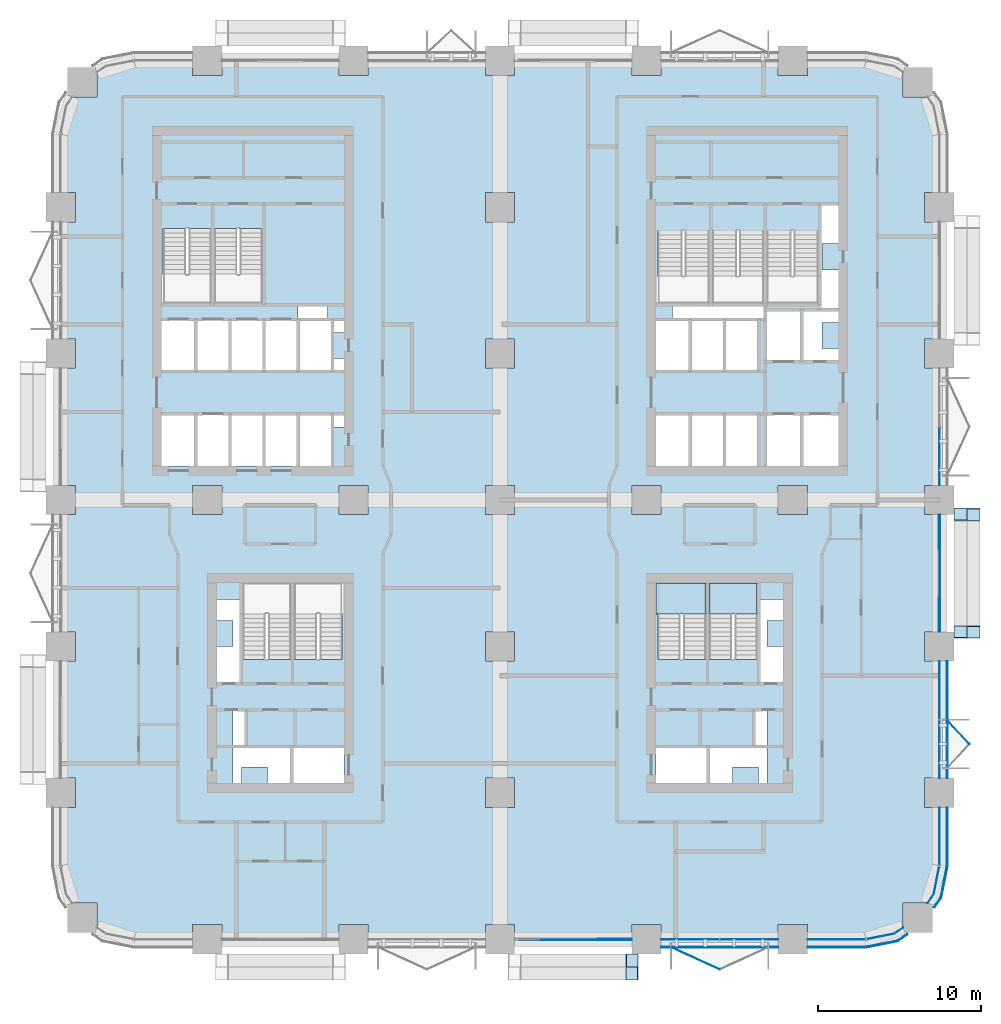
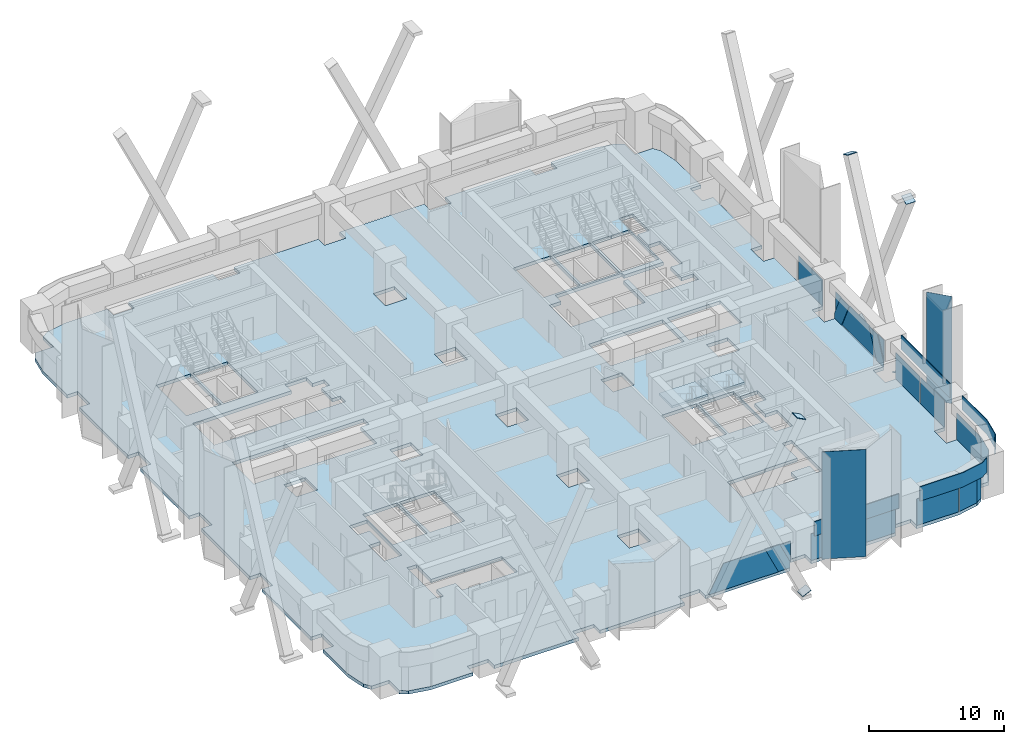
# One storey, part 12 of 26: 29 plates, 3 slabs, 9 elements without a shape of their own.
"""IFC4 building model written with IfcOpenShell, lengths in metres."""

from ifc_helpers import new_model, si_unit, direction, frame, origin, origin_2d, place, context, subcontext, project, spatial, polyline, rectangle, outline, extrude, material, layer, layer_set, type_object, element, aggregate, save


model = new_model("IFC4")

# Units and contexts
model_context = context("Model", 3, precision=1e-05, world=origin(), true_north=direction((0.0, 1.0)))
body_context = subcontext(model_context, "Body", "Model", "MODEL_VIEW")
ifc_project = project(units=[si_unit("LENGTHUNIT", "METRE"), si_unit("AREAUNIT", "SQUARE_METRE"), si_unit("VOLUMEUNIT", "CUBIC_METRE"), si_unit("PLANEANGLEUNIT", "RADIAN"), si_unit("MASSUNIT", "GRAM", prefix="KILO")], contexts=[model_context])

# Site, building, storey
site_placement = place(None, origin())
site = spatial("IfcSite", under=ifc_project, at=site_placement, CompositionType="ELEMENT")
building_placement = place(site_placement, origin())
building = spatial("IfcBuilding", under=site, at=building_placement, Name="Tessera Arch", CompositionType="ELEMENT")
storey_placement = place(building_placement, frame((0.0, 0.0, 31.0)))
storey = spatial("IfcBuildingStorey", under=building, at=storey_placement, Name="L05", CompositionType="ELEMENT", Elevation=31.0)

# Curtain wall, plates
ifc_material_1 = material(Name="CW1 curtain wall")
curtain_wall_type_1 = type_object("IfcCurtainWallType", Name="CW1 curtain wall", PredefinedType="NOTDEFINED", material=ifc_material_1)
curtain_wall_1_placement = place(storey_placement, origin())
curtain_wall_1 = element("IfcCurtainWall", 1, at=curtain_wall_1_placement, inside=storey, type_object=curtain_wall_type_1, Name="CW1 curtain wall S0.0/3 L05", PredefinedType="NOTDEFINED")
ifc_material_2 = material(Name="Clear low-e glass", Category="glass")
ifc_material_3 = material(Name="Clear low-e glass", Category="glass")
ifc_layer_1 = layer(ifc_material_3, 0.028076171875)
ifc_layer_set_1 = layer_set([ifc_layer_1], Name="CW1 glass panel")
plate_type_1 = type_object("IfcPlateType", Name="CW1 glass panel", PredefinedType="CURTAIN_PANEL", material=ifc_layer_set_1)
plate_1_placement = place(storey_placement, frame((38.68505859375, 0.0, 0.0), z_axis=(0.0, 0.0, 1.0), x_axis=(1.0, 0.0, 0.0)))
plate_1 = element("IfcPlate", 2, at=plate_1_placement, type_object=plate_type_1, material=ifc_material_2, Name="CW1 glass panel S0.0/3 1.1.1", PredefinedType="CURTAIN_PANEL", context=body_context, shape_type="SweptSolid", body=[
    extrude(rectangle(XDim=3.570068359375, YDim=0.028076171875, at=origin_2d()), origin(), (0.0, 0.0, 1.0), 2.39990234375),
])
plate_2_placement = place(storey_placement, frame((42.31494140625, 0.0, 0.0), z_axis=(0.0, 0.0, 1.0), x_axis=(1.0, 0.0, 0.0)))
plate_2 = element("IfcPlate", 3, at=plate_2_placement, type_object=plate_type_1, material=ifc_material_2, Name="CW1 glass panel S0.0/3 1.2.1", PredefinedType="CURTAIN_PANEL", context=body_context, shape_type="SweptSolid", body=[
    extrude(rectangle(XDim=3.570068359375, YDim=0.028076171875, at=origin_2d()), origin(), (0.0, 0.0, 1.0), 2.39990234375),
])

curtain_wall_2_placement = place(storey_placement, origin())
curtain_wall_2 = element("IfcCurtainWall", 4, at=curtain_wall_2_placement, inside=storey, type_object=curtain_wall_type_1, Name="CW1 curtain wall E54.0/1 L05", PredefinedType="NOTDEFINED")
plate_3_placement = place(storey_placement, frame((54.0, 11.68505859375, 0.0), z_axis=(0.0, 0.0, 1.0), x_axis=(0.0, 1.0, 0.0)))
plate_3 = element("IfcPlate", 5, at=plate_3_placement, type_object=plate_type_1, material=ifc_material_2, Name="CW1 glass panel E54.0/1 1.1.1", PredefinedType="CURTAIN_PANEL", context=body_context, shape_type="SweptSolid", body=[
    extrude(rectangle(XDim=3.570068359375, YDim=0.028076171875, at=origin_2d()), origin(), (0.0, 0.0, 1.0), 2.39990234375),
])
plate_4_placement = place(storey_placement, frame((54.0, 15.31494140625, 0.0), z_axis=(0.0, 0.0, 1.0), x_axis=(0.0, 1.0, 0.0)))
plate_4 = element("IfcPlate", 6, at=plate_4_placement, type_object=plate_type_1, material=ifc_material_2, Name="CW1 glass panel E54.0/1 1.2.1", PredefinedType="CURTAIN_PANEL", context=body_context, shape_type="SweptSolid", body=[
    extrude(rectangle(XDim=3.570068359375, YDim=0.028076171875, at=origin_2d()), origin(), (0.0, 0.0, 1.0), 2.39990234375),
])

# Curtain wall, plate
curtain_wall_3_placement = place(storey_placement, origin())
curtain_wall_3 = element("IfcCurtainWall", 7, at=curtain_wall_3_placement, inside=storey, type_object=curtain_wall_type_1, Name="CW1 curtain wall E54.0/3 L05", PredefinedType="NOTDEFINED")
plate_5_placement = place(storey_placement, frame((54.0, 29.68505859375, 0.0), z_axis=(0.0, 0.0, 1.0), x_axis=(0.0, 1.0, 0.0)))
plate_5 = element("IfcPlate", 8, at=plate_5_placement, type_object=plate_type_1, material=ifc_material_2, Name="CW1 glass panel E54.0/3 1.1.1", PredefinedType="CURTAIN_PANEL", context=body_context, shape_type="SweptSolid", body=[
    extrude(rectangle(XDim=3.570068359375, YDim=0.028076171875, at=origin_2d()), origin(), (0.0, 0.0, 1.0), 2.39990234375),
])
aggregate(curtain_wall_3, [plate_5])

# Plate
ifc_material_4 = material(Name="Pale anodised aluminium panel", Category="aluminium")
ifc_layer_2 = layer(ifc_material_4, 0.06005859375)
ifc_layer_set_2 = layer_set([ifc_layer_2], Name="CW1 spandrel panel")
plate_type_2 = type_object("IfcPlateType", Name="CW1 spandrel panel", PredefinedType="CURTAIN_PANEL", material=ifc_layer_set_2)
plate_6_placement = place(storey_placement, frame((40.5, -0.47998046875, 2.5), z_axis=(0.0, 0.0, 1.0), x_axis=(1.0, 0.0, 0.0)))
plate_6 = element("IfcPlate", 9, at=plate_6_placement, type_object=plate_type_2, Name="CW1 spandrel panel S0.0/3", PredefinedType="CURTAIN_PANEL", context=body_context, shape_type="SweptSolid", body=[
    extrude(rectangle(XDim=7.199951171875, YDim=0.06005859375, at=origin_2d()), origin(), (0.0, 0.0, 1.0), 1.300048828125),
])

aggregate(curtain_wall_1, [plate_1, plate_2, plate_6])

plate_7_placement = place(storey_placement, frame((54.47998046875, 13.5, 2.5), z_axis=(0.0, 0.0, 1.0), x_axis=(0.0, 1.0, 0.0)))
plate_7 = element("IfcPlate", 10, at=plate_7_placement, type_object=plate_type_2, Name="CW1 spandrel panel E54.0/1", PredefinedType="CURTAIN_PANEL", context=body_context, shape_type="SweptSolid", body=[
    extrude(rectangle(XDim=7.199951171875, YDim=0.06005859375, at=origin_2d()), origin(), (0.0, 0.0, 1.0), 1.300048828125),
])

aggregate(curtain_wall_2, [plate_3, plate_4, plate_7])

# Curtain wall, plates
ifc_material_5 = material(Name="CW2 curtain wall")
curtain_wall_type_2 = type_object("IfcCurtainWallType", Name="CW2 curtain wall", PredefinedType="NOTDEFINED", material=ifc_material_5)
curtain_wall_4_placement = place(storey_placement, origin())
curtain_wall_4 = element("IfcCurtainWall", 11, at=curtain_wall_4_placement, inside=storey, type_object=curtain_wall_type_2, Name="CW2 curtain wall S0.0/4 L05", PredefinedType="NOTDEFINED")
ifc_material_6 = material(Name="Clear low-e glass", Category="glass")
ifc_layer_3 = layer(ifc_material_6, 0.028076171875)
ifc_layer_set_3 = layer_set([ifc_layer_3], Name="CW2 glass panel")
plate_type_3 = type_object("IfcPlateType", Name="CW2 glass panel", PredefinedType="CURTAIN_PANEL", material=ifc_layer_set_3)
plate_8_placement = place(storey_placement, frame((47.679931640625, 0.0, 0.0), z_axis=(0.0, 0.0, 1.0), x_axis=(1.0, 0.0, 0.0)))
plate_8 = element("IfcPlate", 12, at=plate_8_placement, type_object=plate_type_3, material=ifc_material_2, Name="CW2 glass panel S0.0/4 1.1", PredefinedType="CURTAIN_PANEL", context=body_context, shape_type="SweptSolid", body=[
    extrude(rectangle(XDim=3.56005859375, YDim=0.028076171875, at=origin_2d()), origin(), (0.0, 0.0, 1.0), 2.39990234375),
])
plate_9_placement = place(storey_placement, origin())
plate_9 = element("IfcPlate", 13, at=plate_9_placement, type_object=plate_type_3, material=ifc_material_2, Name="CW2 curved glass panel S0.0/4 2.1", PredefinedType="CURTAIN_PANEL", context=body_context, shape_type="SweptSolid", body=[
    extrude(outline(polyline([(51.216552734375, 0.355712890625), (49.53662109375, 0.021484375), (49.5419921875, -0.005859375), (51.2275390625, 0.329345703125), (51.789794921875, 0.705078125), (51.774169921875, 0.728271484375), (51.216552734375, 0.355712890625)])), origin(), (0.0, 0.0, 1.0), 2.39990234375),
])

curtain_wall_5_placement = place(storey_placement, origin())
curtain_wall_5 = element("IfcCurtainWall", 14, at=curtain_wall_5_placement, inside=storey, type_object=curtain_wall_type_2, Name="CW2 curtain wall E54.0/0 L05", PredefinedType="NOTDEFINED")
plate_10_placement = place(storey_placement, frame((54.0, 6.320068359375, 0.0), z_axis=(0.0, 0.0, 1.0), x_axis=(0.0, 1.0, 0.0)))
plate_10 = element("IfcPlate", 15, at=plate_10_placement, type_object=plate_type_3, material=ifc_material_2, Name="CW2 glass panel E54.0/0 1.1", PredefinedType="CURTAIN_PANEL", context=body_context, shape_type="SweptSolid", body=[
    extrude(rectangle(XDim=3.56005859375, YDim=0.028076171875, at=origin_2d()), origin(), (0.0, 0.0, 1.0), 2.39990234375),
])
plate_11_placement = place(storey_placement, origin())
plate_11 = element("IfcPlate", 16, at=plate_11_placement, type_object=plate_type_3, material=ifc_material_2, Name="CW2 curved glass panel E54.0/0 2.1", PredefinedType="CURTAIN_PANEL", context=body_context, shape_type="SweptSolid", body=[
    extrude(outline(polyline([(53.644287109375, 2.783447265625), (53.271728515625, 2.225830078125), (53.294921875, 2.210205078125), (53.670654296875, 2.7724609375), (54.005859375, 4.4580078125), (53.978515625, 4.46337890625), (53.644287109375, 2.783447265625)])), origin(), (0.0, 0.0, 1.0), 2.39990234375),
])

# Plate
ifc_material_7 = material(Name="Pale anodised aluminium panel", Category="aluminium")
ifc_layer_4 = layer(ifc_material_7, 0.06005859375)
ifc_layer_set_4 = layer_set([ifc_layer_4], Name="CW2 spandrel panel")
plate_type_4 = type_object("IfcPlateType", Name="CW2 spandrel panel", PredefinedType="CURTAIN_PANEL", material=ifc_layer_set_4)
plate_12_placement = place(storey_placement, frame((0.0, 0.0, 2.5)))
plate_12 = element("IfcPlate", 17, at=plate_12_placement, type_object=plate_type_4, Name="CW2 spandrel panel S0.0/4", PredefinedType="CURTAIN_PANEL", context=body_context, shape_type="SweptSolid", body=[
    extrude(outline(polyline([(49.499267578125, -0.449951171875), (45.89990234375, -0.449951171875), (45.89990234375, -0.510009765625), (49.500732421875, -0.510009765625), (49.550048828125, -0.507568359375), (49.598876953125, -0.500244140625), (51.322265625, -0.157470703125), (51.3701171875, -0.1455078125), (51.417236328125, -0.128662109375), (51.462646484375, -0.107177734375), (51.5048828125, -0.08203125), (52.0654296875, 0.292724609375), (52.031982421875, 0.342529296875), (51.47265625, -0.03125), (51.434326171875, -0.05419921875), (51.394287109375, -0.0732421875), (51.352783203125, -0.088134765625), (51.30908203125, -0.09912109375), (49.588623046875, -0.441162109375), (49.544189453125, -0.44775390625), (49.499267578125, -0.449951171875)])), origin(), (0.0, 0.0, 1.0), 1.300048828125),
])

aggregate(curtain_wall_4, [plate_8, plate_9, plate_12])

plate_13_placement = place(storey_placement, frame((0.0, 0.0, 2.5)))
plate_13 = element("IfcPlate", 18, at=plate_13_placement, type_object=plate_type_4, Name="CW2 spandrel panel E54.0/0", PredefinedType="CURTAIN_PANEL", context=body_context, shape_type="SweptSolid", body=[
    extrude(outline(polyline([(54.03125, 2.52734375), (53.657470703125, 1.968017578125), (53.707275390625, 1.9345703125), (54.08203125, 2.4951171875), (54.107177734375, 2.537353515625), (54.128662109375, 2.582763671875), (54.1455078125, 2.6298828125), (54.157470703125, 2.677734375), (54.500244140625, 4.401123046875), (54.507568359375, 4.449951171875), (54.510009765625, 4.499267578125), (54.510009765625, 8.10009765625), (54.449951171875, 8.10009765625), (54.449951171875, 4.500732421875), (54.44775390625, 4.455810546875), (54.441162109375, 4.411376953125), (54.09912109375, 2.69091796875), (54.088134765625, 2.647216796875), (54.0732421875, 2.605712890625), (54.05419921875, 2.565673828125), (54.03125, 2.52734375)])), origin(), (0.0, 0.0, 1.0), 1.300048828125),
])

aggregate(curtain_wall_5, [plate_10, plate_11, plate_13])

# Curtain wall, plate
ifc_material_8 = material(Name="CW3 curtain wall")
curtain_wall_type_3 = type_object("IfcCurtainWallType", Name="CW3 curtain wall", PredefinedType="NOTDEFINED", material=ifc_material_8)
curtain_wall_6_placement = place(storey_placement, origin())
curtain_wall_6 = element("IfcCurtainWall", 19, at=curtain_wall_6_placement, inside=storey, type_object=curtain_wall_type_3, Name="CW3 curtain wall S0.0/2 L05", PredefinedType="NOTDEFINED")
ifc_material_9 = material(Name="Pale anodised aluminium panel", Category="aluminium")
ifc_layer_5 = layer(ifc_material_9, 0.06005859375)
ifc_layer_set_5 = layer_set([ifc_layer_5], Name="CW3 diagonal panel")
plate_type_5 = type_object("IfcPlateType", Name="CW3 diagonal panel", PredefinedType="CURTAIN_PANEL", material=ifc_layer_set_5)
plate_14_placement = place(storey_placement, frame((35.10009765625, -0.030029296875, 0.0), z_axis=(0.0, -1.0, 0.0), x_axis=(0.0, 0.0, 1.0)))
plate_14 = element("IfcPlate", 20, at=plate_14_placement, type_object=plate_type_5, Name="CW3 diagonal panel S0.0/2 1", PredefinedType="CURTAIN_PANEL", context=body_context, shape_type="SweptSolid", body=[
    extrude(outline(polyline([(0.0, 0.0), (0.52685546875, 0.0), (2.39990234375, 0.887451171875), (2.39990234375, 2.144287109375), (0.0, 1.007568359375), (0.0, 0.0)])), origin(), (0.0, 0.0, -1.0), 0.06005859375),
])

# Curtain wall, plates
curtain_wall_7_placement = place(storey_placement, origin())
curtain_wall_7 = element("IfcCurtainWall", 21, at=curtain_wall_7_placement, inside=storey, type_object=curtain_wall_type_3, Name="CW3 curtain wall E54.0/2 L05", PredefinedType="NOTDEFINED")
plate_15_placement = place(storey_placement, frame((54.030029296875, 26.10009765625, 0.0), z_axis=(1.0, 0.0, 0.0), x_axis=(0.0, 0.0, 1.0)))
plate_15 = element("IfcPlate", 22, at=plate_15_placement, type_object=plate_type_5, Name="CW3 diagonal panel E54.0/2 1", PredefinedType="CURTAIN_PANEL", context=body_context, shape_type="SweptSolid", body=[
    extrude(outline(polyline([(0.0, 0.0), (0.52685546875, 0.0), (2.39990234375, 0.887451171875), (2.39990234375, 2.144287109375), (0.0, 1.007568359375), (0.0, 0.0)])), origin(), (0.0, 0.0, -1.0), 0.06005859375),
])
plate_16_placement = place(storey_placement, frame((54.030029296875, 21.044189453125, 2.39990234375), z_axis=(1.0, 0.0, 0.0), x_axis=(0.0, -1.0, 0.0)))
plate_16 = element("IfcPlate", 23, at=plate_16_placement, type_object=plate_type_5, Name="CW3 diagonal panel E54.0/2 2", PredefinedType="CURTAIN_PANEL", context=body_context, shape_type="SweptSolid", body=[
    extrude(outline(polyline([(0.0, 0.0), (1.2568359375, 0.0), (2.144287109375, 1.873046875), (2.144287109375, 2.39990234375), (1.13671875, 2.39990234375), (0.0, 0.0)])), origin(), (0.0, 0.0, -1.0), 0.06005859375),
])

# Plate
ifc_material_10 = material(Name="Clear low-e glass", Category="glass")
ifc_layer_6 = layer(ifc_material_10, 0.028076171875)
ifc_layer_set_6 = layer_set([ifc_layer_6], Name="CW3 glass panel")
plate_type_6 = type_object("IfcPlateType", Name="CW3 glass panel", PredefinedType="CURTAIN_PANEL", material=ifc_layer_set_6)
plate_17_placement = place(storey_placement, frame((32.955810546875, -0.05810546875, 2.39990234375), z_axis=(0.0, -1.0, 0.0), x_axis=(-1.0, 0.0, 0.0)))
plate_17 = element("IfcPlate", 24, at=plate_17_placement, type_object=plate_type_6, material=ifc_material_2, Name="CW3 triangulated glass panel S0.0/2 2", PredefinedType="CURTAIN_PANEL", context=body_context, shape_type="SweptSolid", body=[
    extrude(outline(polyline([(0.0, 0.0), (3.552490234375, 0.0), (4.820068359375, 2.39990234375), (-1.13671875, 2.39990234375), (0.0, 0.0)])), origin(), (0.0, 0.0, -1.0), 0.028076171875),
])

plate_18_placement = place(storey_placement, frame((35.10009765625, -0.05810546875, 2.39990234375), z_axis=(0.0, -1.0, 0.0), x_axis=(-1.0, 0.0, 0.0)))
plate_18 = element("IfcPlate", 25, at=plate_18_placement, type_object=plate_type_6, material=ifc_material_2, Name="CW3 triangulated glass panel S0.0/2 3", PredefinedType="CURTAIN_PANEL", context=body_context, shape_type="SweptSolid", body=[
    extrude(outline(polyline([(0.0, 0.0), (0.887451171875, 0.0), (0.0, 1.873046875), (0.0, 0.0)])), origin(), (0.0, 0.0, -1.0), 0.028076171875),
])

aggregate(curtain_wall_6, [plate_17, plate_18, plate_14])

plate_19_placement = place(storey_placement, frame((54.05810546875, 18.89990234375, 2.39990234375), z_axis=(1.0, 0.0, 0.0), x_axis=(0.0, 0.0, -1.0)))
plate_19 = element("IfcPlate", 26, at=plate_19_placement, type_object=plate_type_6, material=ifc_material_2, Name="CW3 triangulated glass panel E54.0/2 1", PredefinedType="CURTAIN_PANEL", context=body_context, shape_type="SweptSolid", body=[
    extrude(outline(polyline([(0.0, 0.0), (1.873046875, 0.0), (0.0, 0.887451171875), (0.0, 0.0)])), origin(), (0.0, 0.0, -1.0), 0.028076171875),
])

plate_20_placement = place(storey_placement, frame((54.05810546875, 23.955810546875, 2.39990234375), z_axis=(1.0, 0.0, 0.0), x_axis=(0.0, -1.0, 0.0)))
plate_20 = element("IfcPlate", 27, at=plate_20_placement, type_object=plate_type_6, material=ifc_material_2, Name="CW3 triangulated glass panel E54.0/2 2", PredefinedType="CURTAIN_PANEL", context=body_context, shape_type="SweptSolid", body=[
    extrude(outline(polyline([(0.0, 0.0), (2.91162109375, 0.0), (4.04833984375, 2.39990234375), (-1.13671875, 2.39990234375), (0.0, 0.0)])), origin(), (0.0, 0.0, -1.0), 0.028076171875),
])

plate_21_placement = place(storey_placement, frame((54.05810546875, 26.10009765625, 2.39990234375), z_axis=(1.0, 0.0, 0.0), x_axis=(0.0, -1.0, 0.0)))
plate_21 = element("IfcPlate", 28, at=plate_21_placement, type_object=plate_type_6, material=ifc_material_2, Name="CW3 triangulated glass panel E54.0/2 3", PredefinedType="CURTAIN_PANEL", context=body_context, shape_type="SweptSolid", body=[
    extrude(outline(polyline([(0.0, 0.0), (0.887451171875, 0.0), (0.0, 1.873046875), (0.0, 0.0)])), origin(), (0.0, 0.0, -1.0), 0.028076171875),
])

aggregate(curtain_wall_7, [plate_19, plate_20, plate_21, plate_15, plate_16])

# Plates
ifc_material_11 = material(Name="Steel A572 Gr50", Category="steel")
ifc_layer_7 = layer(ifc_material_11, 0.050048828125)
ifc_layer_set_7 = layer_set([ifc_layer_7], Name="End plate BOX 800x800x60")
plate_type_7 = type_object("IfcPlateType", Name="End plate BOX 800x800x60", PredefinedType="SHEET", material=ifc_layer_set_7)
for number, where, z_axis, x_axis, name in (
    (29, (35.10009765625, -1.300048828125, 14.39990234375), (0.464738022101, 0.0, 0.885448231583), (0.0, 1.0, 0.0), "End plate BOX 800x800x60 S0.0-2 A2 L05"),
    (30, (35.121337890625, -2.10009765625, -0.84521484375), (-0.425561453383, 0.0, 0.904929527308), (0.0, -1.0, 0.0), "End plate BOX 800x800x60 S0.0-2 B1 L05"),
    (31, (55.300048828125, 18.878662109375, -0.84521484375), (0.0, 0.425561453383, 0.904929527308), (-1.0, 0.0, 0.0), "End plate BOX 800x800x60 E54.0-2 A1 L05"),
    (32, (55.300048828125, 26.10009765625, 14.39990234375), (0.0, 0.425561453383, 0.904929527308), (-1.0, 0.0, 0.0), "End plate BOX 800x800x60 E54.0-2 A2 L05"),
    (33, (56.10009765625, 26.121337890625, -0.84521484375), (0.0, -0.425561453383, 0.904929527308), (1.0, 0.0, 0.0), "End plate BOX 800x800x60 E54.0-2 B1 L05"),
    (34, (56.10009765625, 18.89990234375, 14.39990234375), (0.0, -0.425561453383, 0.904929527308), (1.0, 0.0, 0.0), "End plate BOX 800x800x60 E54.0-2 B2 L05"),
):
    element("IfcPlate", number, at=place(storey_placement, frame(where, z_axis=z_axis, x_axis=x_axis)), inside=storey, type_object=plate_type_7, Name=name, PredefinedType="SHEET", context=body_context, shape_type="SweptSolid", body=[
        extrude(rectangle(XDim=0.800048828125, YDim=0.800048828125, at=origin_2d()), origin(), (0.0, 0.0, 1.0), 0.0498046875),
    ])

# Slab
ifc_material_12 = material(Name="Concrete C40/50", Category="concrete")
ifc_layer_8 = layer(ifc_material_12, 0.300048828125)
ifc_layer_set_8 = layer_set([ifc_layer_8], Name="Floor slab 300 Concrete C40/50")
slab_type_1 = type_object("IfcSlabType", Name="Floor slab 300 Concrete C40/50", PredefinedType="FLOOR", material=ifc_layer_set_8)
slab_1_placement = place(storey_placement, frame((0.0, 0.0, -0.300048828125)))
element("IfcSlab", 35, at=slab_1_placement, inside=storey, type_object=slab_type_1, Name="Floor slab L05 1", PredefinedType="FLOOR", context=body_context, shape_type="SweptSolid", body=[
    extrude(outline(polyline([(4.5, 0.0), (2.77783203125, 0.342529296875), (2.218017578125, 0.716552734375), (2.218017578125, 2.218017578125), (0.716552734375, 2.218017578125), (0.342529296875, 2.77783203125), (0.0, 4.5), (0.0, 8.10009765625), (0.89990234375, 8.10009765625), (0.89990234375, 9.89990234375), (0.0, 9.89990234375), (0.0, 17.10009765625), (0.89990234375, 17.10009765625), (0.89990234375, 18.89990234375), (0.0, 18.89990234375), (0.0, 26.10009765625), (0.89990234375, 26.10009765625), (0.89990234375, 27.89990234375), (0.0, 27.89990234375), (0.0, 35.10009765625), (0.89990234375, 35.10009765625), (0.89990234375, 36.89990234375), (0.0, 36.89990234375), (0.0, 44.10009765625), (0.89990234375, 44.10009765625), (0.89990234375, 45.89990234375), (0.0, 45.89990234375), (0.0, 49.5), (0.342529296875, 51.22216796875), (0.716552734375, 51.781982421875), (2.218017578125, 51.781982421875), (2.218017578125, 53.283447265625), (2.77783203125, 53.657470703125), (4.5, 54.0), (8.10009765625, 54.0), (8.10009765625, 53.10009765625), (9.89990234375, 53.10009765625), (9.89990234375, 54.0), (17.10009765625, 54.0), (17.10009765625, 53.10009765625), (18.89990234375, 53.10009765625), (18.89990234375, 54.0), (26.10009765625, 54.0), (26.10009765625, 53.10009765625), (27.89990234375, 53.10009765625), (27.89990234375, 54.0), (35.10009765625, 54.0), (35.10009765625, 53.10009765625), (36.89990234375, 53.10009765625), (36.89990234375, 54.0), (44.10009765625, 54.0), (44.10009765625, 53.10009765625), (45.89990234375, 53.10009765625), (45.89990234375, 54.0), (49.5, 54.0), (51.22216796875, 53.657470703125), (51.781982421875, 53.283447265625), (51.781982421875, 51.781982421875), (53.283447265625, 51.781982421875), (53.657470703125, 51.22216796875), (54.0, 49.5), (54.0, 45.89990234375), (53.10009765625, 45.89990234375), (53.10009765625, 44.10009765625), (54.0, 44.10009765625), (54.0, 36.89990234375), (53.10009765625, 36.89990234375), (53.10009765625, 35.10009765625), (54.0, 35.10009765625), (54.0, 27.89990234375), (53.10009765625, 27.89990234375), (53.10009765625, 26.10009765625), (54.0, 26.10009765625), (54.0, 18.89990234375), (53.10009765625, 18.89990234375), (53.10009765625, 17.10009765625), (54.0, 17.10009765625), (54.0, 9.89990234375), (53.10009765625, 9.89990234375), (53.10009765625, 8.10009765625), (54.0, 8.10009765625), (54.0, 4.5), (53.657470703125, 2.77783203125), (53.283447265625, 2.218017578125), (51.781982421875, 2.218017578125), (51.781982421875, 0.716552734375), (51.22216796875, 0.342529296875), (49.5, 0.0), (45.89990234375, 0.0), (45.89990234375, 0.89990234375), (44.10009765625, 0.89990234375), (44.10009765625, 0.0), (36.89990234375, 0.0), (36.89990234375, 0.89990234375), (35.10009765625, 0.89990234375), (35.10009765625, 0.0), (27.89990234375, 0.0), (27.89990234375, 0.89990234375), (26.10009765625, 0.89990234375), (26.10009765625, 0.0), (18.89990234375, 0.0), (18.89990234375, 0.89990234375), (17.10009765625, 0.89990234375), (17.10009765625, 0.0), (9.89990234375, 0.0), (9.89990234375, 0.89990234375), (8.10009765625, 0.89990234375), (8.10009765625, 0.0), (4.5, 0.0)]), holes=[polyline([(11.10009765625, 9.60009765625), (11.10009765625, 10.60009765625), (12.699951171875, 10.60009765625), (12.699951171875, 9.60009765625), (14.199951171875, 9.60009765625), (17.39990234375, 9.60009765625), (17.39990234375, 11.85009765625), (14.199951171875, 11.85009765625), (14.199951171875, 11.89990234375), (11.39990234375, 11.89990234375), (11.39990234375, 14.10009765625), (10.60009765625, 14.10009765625), (10.60009765625, 11.89990234375), (10.60009765625, 9.60009765625), (11.10009765625, 9.60009765625)]), polyline([(9.60009765625, 19.60009765625), (10.60009765625, 19.60009765625), (10.60009765625, 18.0), (9.60009765625, 18.0), (9.60009765625, 15.699951171875), (11.10009765625, 15.699951171875), (11.10009765625, 20.89990234375), (9.60009765625, 20.89990234375), (9.60009765625, 19.60009765625)]), polyline([(12.60009765625, 17.2099609375), (12.60009765625, 17.199951171875), (12.75, 17.199951171875), (12.75, 17.2099609375), (14.14990234375, 17.2099609375), (14.14990234375, 21.699951171875), (11.199951171875, 21.699951171875), (11.199951171875, 17.2099609375), (12.60009765625, 17.2099609375)]), polyline([(8.10009765625, 26.10009765625), (9.89990234375, 26.10009765625), (9.89990234375, 27.89990234375), (8.10009765625, 27.89990234375), (8.10009765625, 26.10009765625)]), polyline([(12.5, 29.10009765625), (14.60009765625, 29.10009765625), (16.699951171875, 29.10009765625), (16.699951171875, 31.5), (17.39990234375, 31.5), (17.39990234375, 32.300048828125), (16.699951171875, 32.300048828125), (14.60009765625, 32.300048828125), (12.5, 32.300048828125), (10.39990234375, 32.300048828125), (8.300048828125, 32.300048828125), (6.199951171875, 32.300048828125), (6.199951171875, 29.10009765625), (8.300048828125, 29.10009765625), (10.39990234375, 29.10009765625), (12.5, 29.10009765625)]), polyline([(10.39990234375, 38.10009765625), (8.300048828125, 38.10009765625), (6.199951171875, 38.10009765625), (6.199951171875, 34.89990234375), (8.300048828125, 34.89990234375), (10.39990234375, 34.89990234375), (12.5, 34.89990234375), (14.60009765625, 34.89990234375), (16.699951171875, 34.89990234375), (17.39990234375, 34.89990234375), (17.39990234375, 35.699951171875), (16.699951171875, 35.699951171875), (16.699951171875, 37.300048828125), (17.39990234375, 37.300048828125), (17.39990234375, 38.10009765625), (16.699951171875, 38.10009765625), (16.39990234375, 38.10009765625), (16.39990234375, 39.0), (14.60009765625, 39.0), (14.60009765625, 38.10009765625), (12.5, 38.10009765625), (10.39990234375, 38.10009765625)]), polyline([(11.0, 43.699951171875), (10.85009765625, 43.699951171875), (10.85009765625, 43.68994140625), (9.449951171875, 43.68994140625), (9.449951171875, 39.199951171875), (12.39990234375, 39.199951171875), (12.39990234375, 43.68994140625), (11.0, 43.68994140625), (11.0, 43.699951171875)]), polyline([(7.85009765625, 43.699951171875), (7.699951171875, 43.699951171875), (7.699951171875, 43.68994140625), (6.300048828125, 43.68994140625), (6.300048828125, 39.199951171875), (9.25, 39.199951171875), (9.25, 43.68994140625), (7.85009765625, 43.68994140625), (7.85009765625, 43.699951171875)]), polyline([(26.10009765625, 8.10009765625), (27.89990234375, 8.10009765625), (27.89990234375, 9.89990234375), (26.10009765625, 9.89990234375), (26.10009765625, 8.10009765625)]), polyline([(39.800048828125, 9.60009765625), (41.300048828125, 9.60009765625), (41.300048828125, 10.60009765625), (42.89990234375, 10.60009765625), (42.89990234375, 9.60009765625), (43.39990234375, 9.60009765625), (43.39990234375, 11.89990234375), (43.39990234375, 14.10009765625), (42.60009765625, 14.10009765625), (42.60009765625, 11.89990234375), (39.800048828125, 11.89990234375), (39.800048828125, 11.85009765625), (36.60009765625, 11.85009765625), (36.60009765625, 9.60009765625), (39.800048828125, 9.60009765625)]), polyline([(26.10009765625, 18.89990234375), (26.10009765625, 17.10009765625), (27.89990234375, 17.10009765625), (27.89990234375, 18.89990234375), (26.10009765625, 18.89990234375)]), polyline([(15.75, 17.199951171875), (15.89990234375, 17.199951171875), (15.89990234375, 17.2099609375), (17.300048828125, 17.2099609375), (17.300048828125, 21.699951171875), (14.35009765625, 21.699951171875), (14.35009765625, 17.2099609375), (15.75, 17.2099609375), (15.75, 17.199951171875)]), polyline([(38.10009765625, 17.199951171875), (38.25, 17.199951171875), (38.25, 17.2099609375), (39.64990234375, 17.2099609375), (39.64990234375, 21.699951171875), (36.699951171875, 21.699951171875), (36.699951171875, 17.2099609375), (38.10009765625, 17.2099609375), (38.10009765625, 17.199951171875)]), polyline([(17.10009765625, 26.10009765625), (18.89990234375, 26.10009765625), (18.89990234375, 27.89990234375), (17.10009765625, 27.89990234375), (17.10009765625, 26.10009765625)]), polyline([(26.10009765625, 27.89990234375), (26.10009765625, 26.10009765625), (27.89990234375, 26.10009765625), (27.89990234375, 27.89990234375), (26.10009765625, 27.89990234375)]), polyline([(35.10009765625, 27.89990234375), (35.10009765625, 26.10009765625), (36.89990234375, 26.10009765625), (36.89990234375, 27.89990234375), (35.10009765625, 27.89990234375)]), polyline([(36.60009765625, 32.300048828125), (36.60009765625, 29.10009765625), (38.699951171875, 29.10009765625), (40.800048828125, 29.10009765625), (42.89990234375, 29.10009765625), (42.89990234375, 32.300048828125), (40.800048828125, 32.300048828125), (38.699951171875, 32.300048828125), (36.60009765625, 32.300048828125)]), polyline([(26.10009765625, 35.10009765625), (27.89990234375, 35.10009765625), (27.89990234375, 36.89990234375), (26.10009765625, 36.89990234375), (26.10009765625, 35.10009765625)]), polyline([(38.699951171875, 34.89990234375), (40.800048828125, 34.89990234375), (42.89990234375, 34.89990234375), (42.89990234375, 38.10009765625), (43.300048828125, 38.10009765625), (43.300048828125, 35.5), (45.550048828125, 35.5), (47.800048828125, 35.5), (47.800048828125, 36.300048828125), (46.800048828125, 36.300048828125), (46.800048828125, 37.89990234375), (47.800048828125, 37.89990234375), (47.800048828125, 38.699951171875), (47.800048828125, 41.14990234375), (46.800048828125, 41.14990234375), (46.800048828125, 42.75), (47.800048828125, 42.75), (47.800048828125, 45.199951171875), (46.64990234375, 45.199951171875), (46.64990234375, 38.699951171875), (45.550048828125, 38.699951171875), (43.300048828125, 38.699951171875), (43.300048828125, 39.0), (37.60009765625, 39.0), (37.60009765625, 38.10009765625), (36.60009765625, 38.10009765625), (36.60009765625, 34.89990234375), (38.699951171875, 34.89990234375)]), polyline([(38.330078125, 43.580078125), (38.219970703125, 43.580078125), (38.219970703125, 43.570068359375), (36.699951171875, 43.570068359375), (36.699951171875, 39.199951171875), (39.85009765625, 39.199951171875), (39.85009765625, 43.570068359375), (38.330078125, 43.570068359375), (38.330078125, 43.580078125)]), polyline([(26.10009765625, 44.10009765625), (27.89990234375, 44.10009765625), (27.89990234375, 45.89990234375), (26.10009765625, 45.89990234375), (26.10009765625, 44.10009765625)]), polyline([(42.89990234375, 15.699951171875), (44.39990234375, 15.699951171875), (44.39990234375, 18.0), (43.39990234375, 18.0), (43.39990234375, 19.60009765625), (44.39990234375, 19.60009765625), (44.39990234375, 20.89990234375), (42.89990234375, 20.89990234375), (42.89990234375, 15.699951171875)]), polyline([(41.25, 17.199951171875), (41.39990234375, 17.199951171875), (41.39990234375, 17.2099609375), (42.800048828125, 17.2099609375), (42.800048828125, 21.699951171875), (39.85009765625, 21.699951171875), (39.85009765625, 17.2099609375), (41.25, 17.2099609375), (41.25, 17.199951171875)]), polyline([(44.10009765625, 26.10009765625), (45.89990234375, 26.10009765625), (45.89990234375, 27.89990234375), (44.10009765625, 27.89990234375), (44.10009765625, 26.10009765625)]), polyline([(45.550048828125, 29.10009765625), (47.800048828125, 29.10009765625), (47.800048828125, 32.300048828125), (45.550048828125, 32.300048828125), (43.300048828125, 32.300048828125), (43.300048828125, 29.10009765625), (45.550048828125, 29.10009765625)]), polyline([(45.030029296875, 43.570068359375), (45.030029296875, 43.580078125), (44.919921875, 43.580078125), (44.919921875, 43.570068359375), (43.39990234375, 43.570068359375), (43.39990234375, 39.199951171875), (46.550048828125, 39.199951171875), (46.550048828125, 43.570068359375), (45.030029296875, 43.570068359375)]), polyline([(41.679931640625, 43.580078125), (41.570068359375, 43.580078125), (41.570068359375, 43.570068359375), (40.050048828125, 43.570068359375), (40.050048828125, 39.199951171875), (43.199951171875, 39.199951171875), (43.199951171875, 43.570068359375), (41.679931640625, 43.570068359375), (41.679931640625, 43.580078125)])]), origin(), (0.0, 0.0, 1.0), 0.300048828125),
])

# Stair, slab
ifc_material_13 = material(Name="Concrete C40/50", Category="concrete")
stair_type = type_object("IfcStairType", Name="Dogleg stair 1400", PredefinedType="HALF_TURN_STAIR", material=ifc_material_13)
stair_1_placement = place(storey_placement, origin())
stair_1 = element("IfcStair", 36, at=stair_1_placement, inside=storey, type_object=stair_type, Name="L05 S3a", PredefinedType="HALF_TURN_STAIR")
ifc_material_14 = material(Name="Concrete C40/50", Category="concrete")
ifc_layer_9 = layer(ifc_material_14, 0.300048828125)
ifc_layer_set_9 = layer_set([ifc_layer_9], Name="Stair landing 300")
slab_type_2 = type_object("IfcSlabType", Name="Stair landing 300", PredefinedType="LANDING", material=ifc_layer_set_9)
slab_2_placement = place(storey_placement, frame((0.0, 0.0, 1.699951171875)))
slab_2 = element("IfcSlab", 37, at=slab_2_placement, type_object=slab_type_2, Name="S3a landing 1", PredefinedType="LANDING", context=body_context, shape_type="SweptSolid", body=[
    extrude(outline(polyline([(39.64990234375, 20.0), (39.64990234375, 21.89990234375), (36.60009765625, 21.89990234375), (36.60009765625, 20.0), (39.64990234375, 20.0)])), origin(), (0.0, 0.0, 1.0), 0.199951171875),
])
aggregate(stair_1, [slab_2])

stair_2_placement = place(storey_placement, origin())
stair_2 = element("IfcStair", 38, at=stair_2_placement, inside=storey, type_object=stair_type, Name="L05 S3b", PredefinedType="HALF_TURN_STAIR")
slab_3_placement = place(storey_placement, frame((0.0, 0.0, 1.699951171875)))
slab_3 = element("IfcSlab", 39, at=slab_3_placement, type_object=slab_type_2, Name="S3b landing 1", PredefinedType="LANDING", context=body_context, shape_type="SweptSolid", body=[
    extrude(outline(polyline([(42.800048828125, 20.0), (42.800048828125, 21.89990234375), (39.85009765625, 21.89990234375), (39.85009765625, 20.0), (42.800048828125, 20.0)])), origin(), (0.0, 0.0, 1.0), 0.199951171875),
])
aggregate(stair_2, [slab_3])

# Plates
ifc_material_15 = material(Name="Clear low-e glass", Category="glass")
ifc_layer_10 = layer(ifc_material_15, 0.028076171875)
ifc_layer_set_10 = layer_set([ifc_layer_10], Name="Window box glass facet")
plate_type_8 = type_object("IfcPlateType", Name="Window box glass facet", PredefinedType="SHEET", material=ifc_layer_set_10)
plate_22_placement = place(storey_placement, frame((39.02490234375, -1.179931640625, 0.22021484375), z_axis=(0.0, 0.0, 1.0), x_axis=(0.910472144558, -0.413570397858, 0.0)))
element("IfcPlate", 40, at=plate_22_placement, inside=storey, type_object=plate_type_8, Name="Window box S0.0/3.0 2x3 glass", PredefinedType="SHEET", context=body_context, shape_type="SweptSolid", body=[
    extrude(rectangle(XDim=3.239990234375, YDim=0.028076171875, at=origin_2d()), origin(), (0.0, 0.0, 1.0), 9.659912109375),
])
plate_23_placement = place(storey_placement, frame((55.179931640625, 12.72509765625, 0.22021484375), z_axis=(0.0, 0.0, 1.0), x_axis=(0.678700720617, -0.734414958885, 0.0)))
element("IfcPlate", 41, at=plate_23_placement, inside=storey, type_object=plate_type_8, Name="Window box E54.0/1.0 1x3 glass", PredefinedType="SHEET", context=body_context, shape_type="SweptSolid", body=[
    extrude(rectangle(XDim=1.974365234375, YDim=0.028076171875, at=origin_2d()), origin(), (0.0, 0.0, 1.0), 9.659912109375),
])

save(model, "model.ifc")
